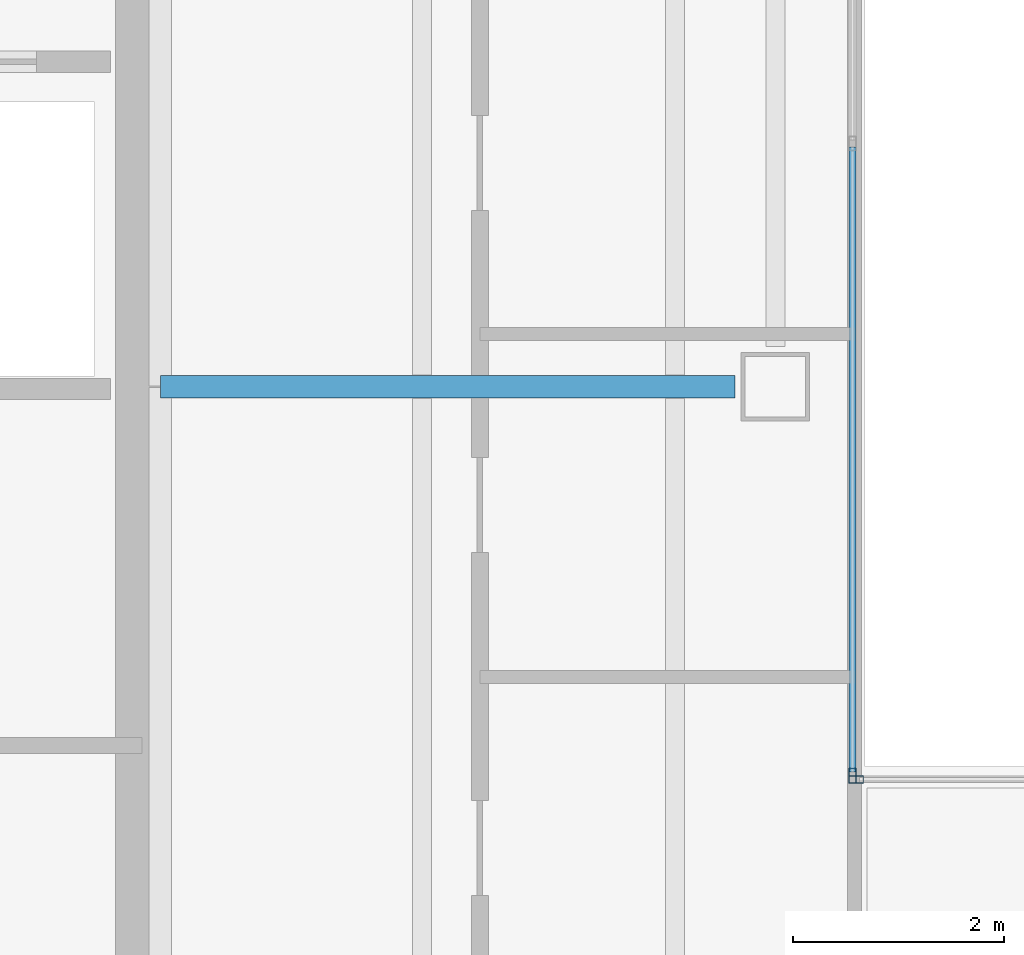
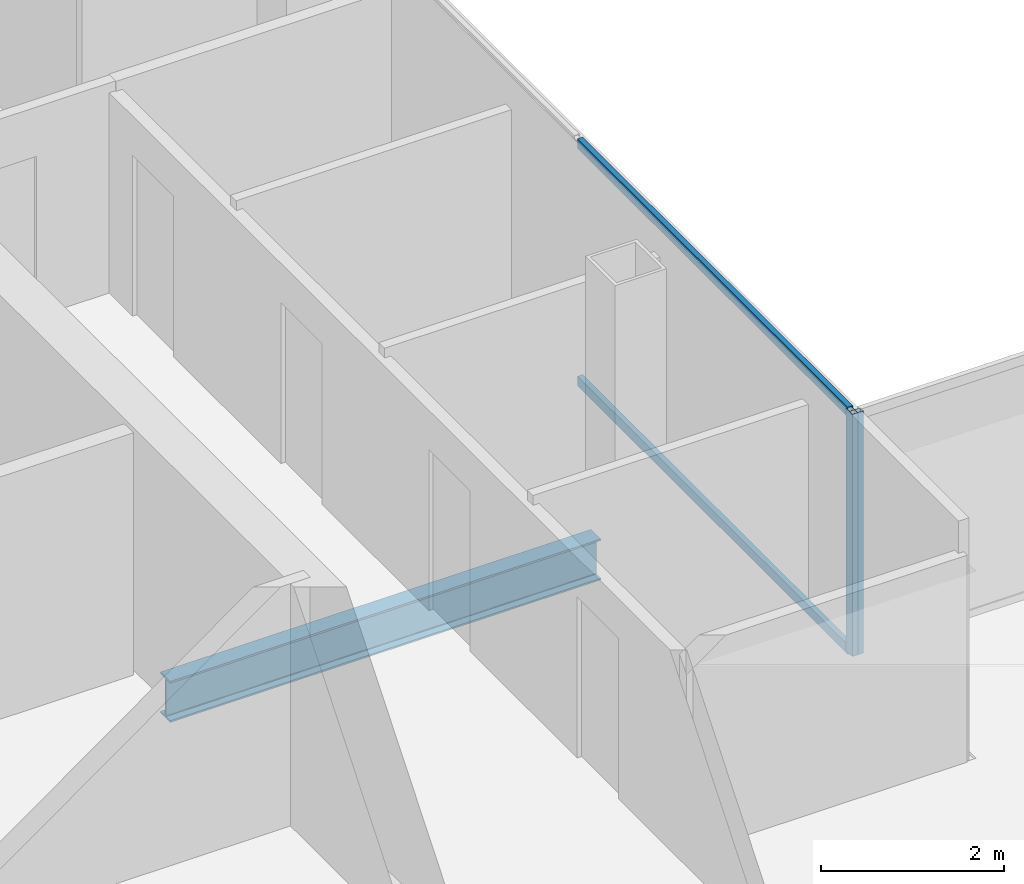
# One storey, part 8 of 24: 4 members, 1 beam, 2 elements without a shape of their own.
"""IFC4 building model written with IfcOpenShell, lengths in metres."""

from ifc_helpers import new_model, si_unit, direction, frame, origin, origin_2d, place, context, subcontext, project, spatial, hollow_rectangle, i_section, extrude, material, material_profile, profile_set, type_object, element, aggregate, save


model = new_model("IFC4")

# Units and contexts
model_context = context("Model", 3, precision=1e-05, world=origin(), true_north=direction((0.0, 1.0)))
body_context = subcontext(model_context, "Body", "Model", "MODEL_VIEW")
ifc_project = project(units=[si_unit("LENGTHUNIT", "METRE"), si_unit("AREAUNIT", "SQUARE_METRE"), si_unit("VOLUMEUNIT", "CUBIC_METRE"), si_unit("PLANEANGLEUNIT", "RADIAN"), si_unit("MASSUNIT", "GRAM", prefix="KILO")], contexts=[model_context])

# Site, building, storey
site_placement = place(None, origin())
site = spatial("IfcSite", under=ifc_project, at=site_placement, CompositionType="ELEMENT")
building_placement = place(site_placement, origin())
building = spatial("IfcBuilding", under=site, at=building_placement, Name="Cobrela Telecom Tower", CompositionType="ELEMENT")
storey_placement = place(building_placement, frame((0.0, 0.0, 241.14990234375)))
storey = spatial("IfcBuildingStorey", under=building, at=storey_placement, Name="L62", CompositionType="ELEMENT", Elevation=241.14990234375)

# Beam
ifc_material_1 = material(Name="Steel ASTM A992 Grade 50", Category="steel")
ifc_material_profile_1 = material_profile(ifc_material_1, i_section(OverallWidth=0.212890625, OverallDepth=0.549072265625, WebThickness=0.0146484375, FlangeThickness=0.023681640625, FilletRadius=0.013916015625, at=origin_2d()), Name="W21X93")
ifc_profile_set_1 = profile_set([ifc_material_profile_1], Name="Steel ASTM A992 Grade 50")
beam_type = type_object("IfcBeamType", Name="BM-GIRD-08", PredefinedType="USERDEFINED", material=ifc_profile_set_1)
beam_placement = place(storey_placement, frame((14.324951171875, 28.800048828125, -0.534423828125), z_axis=(1.0, 0.0, 0.0), x_axis=(0.0, 1.0, 0.0)))
element("IfcBeam", 1, at=beam_placement, inside=storey, type_object=beam_type, Name="L62 Primary Girder X13", ObjectType="GIRDER", PredefinedType="USERDEFINED", context=body_context, shape_type="SweptSolid", body=[
    extrude(i_section(OverallWidth=0.212890625, OverallDepth=0.549072265625, WebThickness=0.0146484375, FlangeThickness=0.023681640625, FilletRadius=0.013916015625, at=origin_2d()), origin(), (0.0, 0.0, 1.0), 5.445068359375),
])

# Curtain wall, member
ifc_material_2 = material(Name="Anodized Bronze Aluminium 6063-T6", Category="aluminium")
curtain_wall_type = type_object("IfcCurtainWallType", Name="CW-SYS-OFF-HI", PredefinedType="USERDEFINED", material=ifc_material_2)
curtain_wall_1_placement = place(storey_placement, origin())
curtain_wall_1 = element("IfcCurtainWall", 2, at=curtain_wall_1_placement, inside=storey, type_object=curtain_wall_type, Name="L62 Unitised Bronze Curtain Wall 08", ObjectType="UNITISED CURTAIN WALL", PredefinedType="USERDEFINED")
ifc_material_profile_2 = material_profile(ifc_material_2, hollow_rectangle(XDim=0.070068359375, YDim=0.139892578125, WallThickness=0.00390625, at=origin_2d()), Name="ALU 70x140x4")
ifc_profile_set_2 = profile_set([ifc_material_profile_2], Name="Anodized Bronze Aluminium 6063-T6")
member_type_1 = type_object("IfcMemberType", Name="CW-SYS-OFF-HI-MUL", PredefinedType="MULLION", material=ifc_profile_set_2)
member_1_placement = place(storey_placement, frame((20.8798828125, 25.114990234375, 0.0), z_axis=(0.0, 0.0, 1.0), x_axis=(1.0, 0.0, 0.0)))
member_1 = element("IfcMember", 3, at=member_1_placement, type_object=member_type_1, Name="CW-OFF-HI mullion 3", PredefinedType="MULLION", context=body_context, shape_type="SweptSolid", body=[
    extrude(hollow_rectangle(XDim=0.070068359375, YDim=0.139892578125, WallThickness=0.00390625, at=origin_2d()), origin(), (0.0, 0.0, 1.0), 3.239990234375),
])

curtain_wall_2_placement = place(storey_placement, origin())
curtain_wall_2 = element("IfcCurtainWall", 4, at=curtain_wall_2_placement, inside=storey, type_object=curtain_wall_type, Name="L62 Unitised Bronze Curtain Wall 09", ObjectType="UNITISED CURTAIN WALL", PredefinedType="USERDEFINED")
member_2_placement = place(storey_placement, frame((20.9150390625, 25.080078125, 0.0), z_axis=(0.0, 0.0, 1.0), x_axis=(0.0, 1.0, 0.0)))
member_2 = element("IfcMember", 5, at=member_2_placement, type_object=member_type_1, Name="CW-OFF-HI mullion 1", PredefinedType="MULLION", context=body_context, shape_type="SweptSolid", body=[
    extrude(hollow_rectangle(XDim=0.070068359375, YDim=0.139892578125, WallThickness=0.00390625, at=origin_2d()), origin(), (0.0, 0.0, 1.0), 3.239990234375),
])
aggregate(curtain_wall_2, [member_2])

# Member
ifc_material_profile_3 = material_profile(ifc_material_2, hollow_rectangle(XDim=0.06494140625, YDim=0.1298828125, WallThickness=0.00390625, at=origin_2d()), Name="ALU 65x130x4")
ifc_profile_set_3 = profile_set([ifc_material_profile_3], Name="Anodized Bronze Aluminium 6063-T6")
member_type_2 = type_object("IfcMemberType", Name="CW-SYS-OFF-HI-TRN", PredefinedType="USERDEFINED", material=ifc_profile_set_3)
member_3_placement = place(storey_placement, frame((20.8798828125, 31.070068359375, 0.03271484375), z_axis=(0.0, -1.0, 0.0), x_axis=(1.0, 0.0, 0.0)))
member_3 = element("IfcMember", 6, at=member_3_placement, type_object=member_type_2, Name="CW-OFF-HI transom 2.1", ObjectType="TRANSOM", PredefinedType="USERDEFINED", context=body_context, shape_type="SweptSolid", body=[
    extrude(hollow_rectangle(XDim=0.06494140625, YDim=0.1298828125, WallThickness=0.00390625, at=origin_2d()), origin(), (0.0, 0.0, 1.0), 5.920166015625),
])

member_4_placement = place(storey_placement, frame((20.8798828125, 31.070068359375, 3.20751953125), z_axis=(0.0, -1.0, 0.0), x_axis=(1.0, 0.0, 0.0)))
member_4 = element("IfcMember", 7, at=member_4_placement, type_object=member_type_2, Name="CW-OFF-HI transom 2.2", ObjectType="TRANSOM", PredefinedType="USERDEFINED", context=body_context, shape_type="SweptSolid", body=[
    extrude(hollow_rectangle(XDim=0.06494140625, YDim=0.1298828125, WallThickness=0.00390625, at=origin_2d()), origin(), (0.0, 0.0, 1.0), 5.920166015625),
])

aggregate(curtain_wall_1, [member_1, member_3, member_4])

save(model, "model.ifc")
